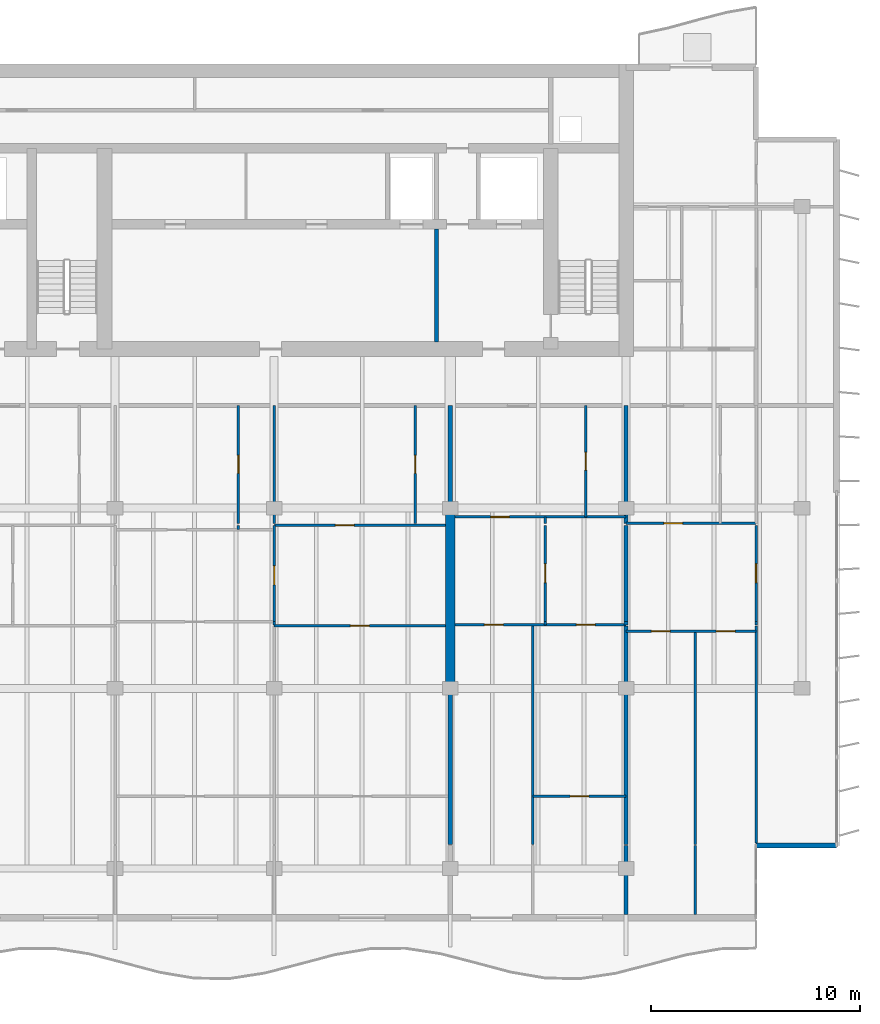
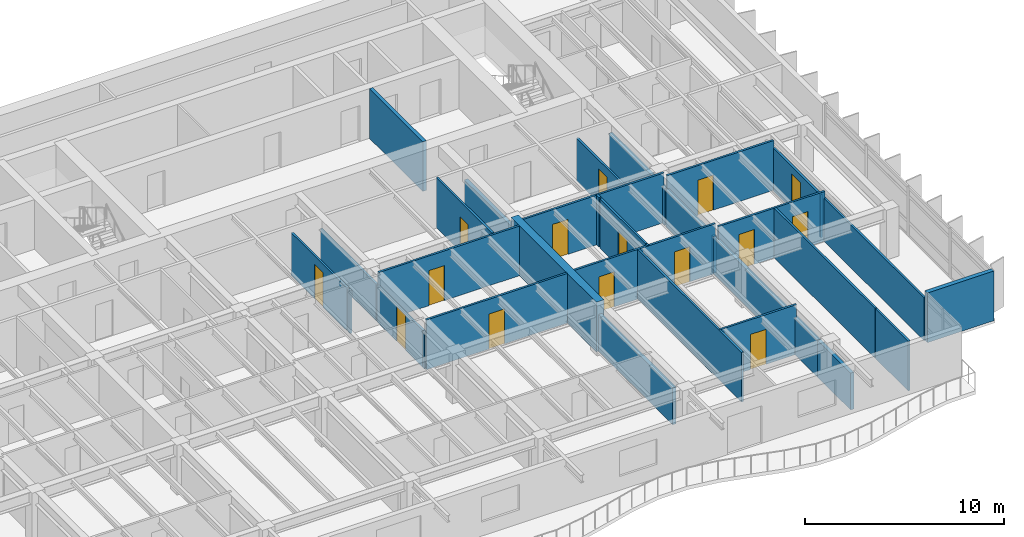
# One storey, part 10 of 17: 33 walls, 15 doors, 15 openings.
"""IFC4 building model written with IfcOpenShell, lengths in metres."""

from ifc_helpers import new_model, si_unit, direction, frame, frame_2d, origin, place, context, subcontext, project, spatial, rectangle, extrude, material, layer, layer_set, type_object, element, fill, save


model = new_model("IFC4")

# Units and contexts
model_context = context("Model", 3, precision=1e-05, world=origin(), true_north=direction((0.0, 1.0)))
body_context = subcontext(model_context, "Body", "Model", "MODEL_VIEW")
ifc_project = project(units=[si_unit("LENGTHUNIT", "METRE"), si_unit("AREAUNIT", "SQUARE_METRE"), si_unit("VOLUMEUNIT", "CUBIC_METRE"), si_unit("PLANEANGLEUNIT", "RADIAN"), si_unit("MASSUNIT", "GRAM", prefix="KILO")], contexts=[model_context])

# Site, building, storey
site_placement = place(None, origin())
site = spatial("IfcSite", under=ifc_project, at=site_placement, CompositionType="ELEMENT")
building_placement = place(site_placement, origin())
building = spatial("IfcBuilding", under=site, at=building_placement, Name="Caelmar Bay Residences", CompositionType="ELEMENT")
storey_placement = place(building_placement, frame((0.0, 0.0, 259.5)))
storey = spatial("IfcBuildingStorey", under=building, at=storey_placement, Name="L73", CompositionType="ELEMENT", Elevation=259.5)

# Walls
ifc_material_1 = material(Name="Concrete f'c 55 MPa (8,000 psi)", Category="concrete")
ifc_layer_1 = layer(ifc_material_1, 0.449951171875)
ifc_layer_set_1 = layer_set([ifc_layer_1], Name="Concrete f'c 55 MPa (8,000 psi)")
wall_type_1 = type_object("IfcWallType", Name="SW-XSLB-450", PredefinedType="SHEAR", material=ifc_layer_set_1)
wall_1_placement = place(storey_placement, frame((51.10009765625, 20.800048828125, 0.0), z_axis=(0.0, 0.0, 1.0), x_axis=(0.0, 1.0, 0.0)))
element("IfcWall", 1, at=wall_1_placement, inside=storey, type_object=wall_type_1, Name="L73 Transverse Cross-Slab Shear Wall E8", PredefinedType="SHEAR", context=body_context, shape_type="SweptSolid", body=[
    extrude(rectangle(XDim=8.599853515625, YDim=0.449951171875, at=frame_2d((4.2998046875, 0.0))), origin(), (0.0, 0.0, 1.0), 3.050048828125),
])
ifc_material_2 = material(Name="Precast concrete f'c 40 MPa (6,000 psi)", Category="concrete")
ifc_layer_2 = layer(ifc_material_2, 0.25)
ifc_layer_set_2 = layer_set([ifc_layer_2], Name="Precast concrete f'c 40 MPa (6,000 psi)")
wall_type_2 = type_object("IfcWallType", Name="W-EXT-250", PredefinedType="ELEMENTEDWALL", material=ifc_layer_set_2)
wall_2_placement = place(storey_placement, frame((65.699951171875, 13.300048828125, 0.0), z_axis=(0.0, 0.0, 1.0), x_axis=(1.0, 0.0, 0.0)))
element("IfcWall", 2, at=wall_2_placement, inside=storey, type_object=wall_type_2, Name="L73 SE Notch Return Wall", PredefinedType="ELEMENTEDWALL", context=body_context, shape_type="SweptSolid", body=[
    extrude(rectangle(XDim=3.85009765625, YDim=0.25, at=frame_2d((1.925048828125, 0.0))), origin(), (0.0, 0.0, 1.0), 3.050048828125),
])
ifc_material_3 = material(Name="Fire-rated masonry and gypsum shaftliner assembly 200 mm", Category="masonry")
ifc_layer_3 = layer(ifc_material_3, 0.199951171875)
ifc_layer_set_3 = layer_set([ifc_layer_3], Name="Fire-rated masonry and gypsum shaftliner assembly 200 mm")
wall_type_3 = type_object("IfcWallType", Name="W-FSAE-200", PredefinedType="PARTITIONING", material=ifc_layer_set_3)
wall_3_placement = place(storey_placement, frame((50.449951171875, 37.344970703125, 0.0), z_axis=(0.0, 0.0, 1.0), x_axis=(0.0, 1.0, 0.0)))
element("IfcWall", 3, at=wall_3_placement, inside=storey, type_object=wall_type_3, Name="L73 Partition Wall V041", PredefinedType="PARTITIONING", context=body_context, shape_type="SweptSolid", body=[
    extrude(rectangle(XDim=5.385009765625, YDim=0.199951171875, at=frame_2d((2.6923828125, 0.0))), origin(), (0.0, 0.0, 1.0), 3.050048828125),
])
ifc_material_4 = material(Name="Acoustic metal-stud gypsum partition 120 mm")
ifc_layer_4 = layer(ifc_material_4, 0.1201171875)
ifc_layer_set_4 = layer_set([ifc_layer_4], Name="Acoustic metal-stud gypsum partition 120 mm")
wall_type_4 = type_object("IfcWallType", Name="W-PRT-120", PredefinedType="PARTITIONING", material=ifc_layer_set_4)
wall_4_placement = place(storey_placement, frame((40.993896484375, 28.3798828125, 0.0), z_axis=(0.0, 0.0, 1.0), x_axis=(0.0, 1.0, 0.0)))
element("IfcWall", 4, at=wall_4_placement, inside=storey, type_object=wall_type_4, Name="L73 Partition Wall V031", PredefinedType="PARTITIONING", context=body_context, shape_type="SweptSolid", body=[
    extrude(rectangle(XDim=0.2001953125, YDim=0.1201171875, at=frame_2d((0.10009765625, 0.0))), origin(), (0.0, 0.0, 1.0), 2.62890625),
])

# Wall, opening, door
wall_5_placement = place(storey_placement, frame((40.993896484375, 28.679931640625, 0.0), z_axis=(0.0, 0.0, 1.0), x_axis=(0.0, 1.0, 0.0)))
wall_5 = element("IfcWall", 5, at=wall_5_placement, inside=storey, type_object=wall_type_4, Name="L73 Partition Wall V032", PredefinedType="PARTITIONING", context=body_context, shape_type="SweptSolid", body=[
    extrude(rectangle(XDim=5.6201171875, YDim=0.1201171875, at=frame_2d((2.81005859375, 0.0))), origin(), (0.0, 0.0, 1.0), 2.62890625),
])
opening_1_placement = place(wall_5_placement, frame((2.385009765625, 0.0, 0.0)))
opening_1 = element("IfcOpeningElement", 6, at=opening_1_placement, cuts=wall_5, Name="Opening D-L73-136", PredefinedType="OPENING", context=body_context, shape_type="SweptSolid", body=[
    extrude(rectangle(XDim=0.85009765625, YDim=2.10009765625, at=frame_2d((0.425048828125, 1.050048828125))), frame((0.0, 0.070068359375, 0.0), z_axis=(0.0, -1.0, 0.0), x_axis=(1.0, 0.0, 0.0)), (0.0, 0.0, 1.0), 0.14013671875),
])
ifc_material_5 = material(Name="Solid walnut timber interior door leaf and frame", Category="wood")
ifc_layer_5 = layer(ifc_material_5, 0.050048828125)
ifc_layer_set_5 = layer_set([ifc_layer_5], Name="Solid walnut timber interior door leaf and frame")
door_type_1 = type_object("IfcDoorType", Name="D-BATH-850", OperationType="NOTDEFINED", PredefinedType="DOOR", material=ifc_layer_set_5)
door_1_placement = place(opening_1_placement, origin())
door_1 = element("IfcDoor", 7, at=door_1_placement, inside=storey, type_object=door_type_1, Name="L73 Residence 02 En-Suite Bathroom 1 Door", OperationType="SINGLE_SWING_LEFT", OverallHeight=2.10009765625, OverallWidth=0.85009765625, PredefinedType="DOOR", context=body_context, shape_type="SweptSolid", body=[
    extrude(rectangle(XDim=0.85009765625, YDim=2.10009765625, at=frame_2d((0.425048828125, 1.050048828125))), frame((0.0, 0.02490234375, 0.0), z_axis=(0.0, -1.0, 0.0), x_axis=(1.0, 0.0, 0.0)), (0.0, 0.0, 1.0), 0.050048828125),
])
fill(opening_1, door_1)

# Wall
wall_6_placement = place(storey_placement, frame((42.699951171875, 23.830078125, 0.0), z_axis=(0.0, 0.0, 1.0), x_axis=(0.0, 1.0, 0.0)))
element("IfcWall", 8, at=wall_6_placement, inside=storey, type_object=wall_type_4, Name="L73 Partition Wall V036", PredefinedType="PARTITIONING", context=body_context, shape_type="SweptSolid", body=[
    extrude(rectangle(XDim=0.14990234375, YDim=0.1201171875, at=frame_2d((0.074951171875, 0.0))), origin(), (0.0, 0.0, 1.0), 2.262939453125),
])

# Wall, opening, door
wall_7_placement = place(storey_placement, frame((42.699951171875, 24.0, 0.0), z_axis=(0.0, 0.0, 1.0), x_axis=(0.0, 1.0, 0.0)))
wall_7 = element("IfcWall", 9, at=wall_7_placement, inside=storey, type_object=wall_type_4, Name="L73 Partition Wall V037", PredefinedType="PARTITIONING", context=body_context, shape_type="SweptSolid", body=[
    extrude(rectangle(XDim=4.580078125, YDim=0.1201171875, at=frame_2d((2.2900390625, 0.0))), origin(), (0.0, 0.0, 1.0), 2.262939453125),
])
opening_2_placement = place(wall_7_placement, frame((1.739990234375, 0.0, 0.0)))
opening_2 = element("IfcOpeningElement", 10, at=opening_2_placement, cuts=wall_7, Name="Opening D-L73-139", PredefinedType="OPENING", context=body_context, shape_type="SweptSolid", body=[
    extrude(rectangle(XDim=0.89990234375, YDim=2.14990234375, at=frame_2d((0.449951171875, 1.074951171875))), frame((0.0, 0.070068359375, 0.0), z_axis=(0.0, -1.0, 0.0), x_axis=(1.0, 0.0, 0.0)), (0.0, 0.0, 1.0), 0.14013671875),
])
ifc_layer_6 = layer(ifc_material_5, 0.050048828125)
ifc_layer_set_6 = layer_set([ifc_layer_6], Name="Solid walnut timber interior door leaf and frame")
door_type_2 = type_object("IfcDoorType", Name="D-ROOM-900", OperationType="NOTDEFINED", PredefinedType="DOOR", material=ifc_layer_set_6)
door_2_placement = place(opening_2_placement, origin())
door_2 = element("IfcDoor", 11, at=door_2_placement, inside=storey, type_object=door_type_2, Name="L73 Residence 02 Family Room 2 Door", OperationType="SINGLE_SWING_RIGHT", OverallHeight=2.14990234375, OverallWidth=0.89990234375, PredefinedType="DOOR", context=body_context, shape_type="SweptSolid", body=[
    extrude(rectangle(XDim=0.89990234375, YDim=2.14990234375, at=frame_2d((0.449951171875, 1.074951171875))), frame((0.0, 0.02490234375, 0.0), z_axis=(0.0, -1.0, 0.0), x_axis=(1.0, 0.0, 0.0)), (0.0, 0.0, 1.0), 0.050048828125),
])
fill(opening_2, door_2)

# Wall
wall_8_placement = place(storey_placement, frame((42.699951171875, 28.679931640625, 0.0), z_axis=(0.0, 0.0, 1.0), x_axis=(0.0, 1.0, 0.0)))
element("IfcWall", 12, at=wall_8_placement, inside=storey, type_object=wall_type_4, Name="L73 Partition Wall V038", PredefinedType="PARTITIONING", context=body_context, shape_type="SweptSolid", body=[
    extrude(rectangle(XDim=5.6201171875, YDim=0.1201171875, at=frame_2d((2.81005859375, 0.0))), origin(), (0.0, 0.0, 1.0), 2.262939453125),
])

# Wall, opening, door
wall_9_placement = place(storey_placement, frame((49.422119140625, 28.679931640625, 0.0), z_axis=(0.0, 0.0, 1.0), x_axis=(0.0, 1.0, 0.0)))
wall_9 = element("IfcWall", 13, at=wall_9_placement, inside=storey, type_object=wall_type_4, Name="L73 Partition Wall V040", PredefinedType="PARTITIONING", context=body_context, shape_type="SweptSolid", body=[
    extrude(rectangle(XDim=5.6201171875, YDim=0.1201171875, at=frame_2d((2.81005859375, 0.0))), origin(), (0.0, 0.0, 1.0), 3.050048828125),
])
opening_3_placement = place(wall_9_placement, frame((2.385009765625, 0.0, 0.0)))
opening_3 = element("IfcOpeningElement", 14, at=opening_3_placement, cuts=wall_9, Name="Opening D-L73-141", PredefinedType="OPENING", context=body_context, shape_type="SweptSolid", body=[
    extrude(rectangle(XDim=0.85009765625, YDim=2.10009765625, at=frame_2d((0.425048828125, 1.050048828125))), frame((0.0, 0.070068359375, 0.0), z_axis=(0.0, -1.0, 0.0), x_axis=(1.0, 0.0, 0.0)), (0.0, 0.0, 1.0), 0.14013671875),
])
door_3_placement = place(opening_3_placement, origin())
door_3 = element("IfcDoor", 15, at=door_3_placement, inside=storey, type_object=door_type_1, Name="L73 Residence 02 En-Suite Bathroom 2 Door", OperationType="SINGLE_SWING_RIGHT", OverallHeight=2.10009765625, OverallWidth=0.85009765625, PredefinedType="DOOR", context=body_context, shape_type="SweptSolid", body=[
    extrude(rectangle(XDim=0.85009765625, YDim=2.10009765625, at=frame_2d((0.425048828125, 1.050048828125))), frame((0.0, 0.02490234375, 0.0), z_axis=(0.0, -1.0, 0.0), x_axis=(1.0, 0.0, 0.0)), (0.0, 0.0, 1.0), 0.050048828125),
])
fill(opening_3, door_3)

# Walls
wall_10_placement = place(storey_placement, frame((55.048095703125, 13.340087890625, 0.0), z_axis=(0.0, 0.0, 1.0), x_axis=(0.0, 1.0, 0.0)))
element("IfcWall", 16, at=wall_10_placement, inside=storey, type_object=wall_type_4, Name="L73 Partition Wall V048", PredefinedType="PARTITIONING", context=body_context, shape_type="SweptSolid", body=[
    extrude(rectangle(XDim=10.43994140625, YDim=0.1201171875, at=frame_2d((5.219970703125, 0.0))), origin(), (0.0, 0.0, 1.0), 3.050048828125),
])
wall_11_placement = place(storey_placement, frame((55.635986328125, 23.830078125, 0.0), z_axis=(0.0, 0.0, 1.0), x_axis=(0.0, 1.0, 0.0)))
element("IfcWall", 17, at=wall_11_placement, inside=storey, type_object=wall_type_4, Name="L73 Partition Wall V049", PredefinedType="PARTITIONING", context=body_context, shape_type="SweptSolid", body=[
    extrude(rectangle(XDim=0.14990234375, YDim=0.1201171875, at=frame_2d((0.074951171875, 0.0))), origin(), (0.0, 0.0, 1.0), 3.050048828125),
])

# Wall, opening, door
wall_12_placement = place(storey_placement, frame((55.635986328125, 24.0, 0.0), z_axis=(0.0, 0.0, 1.0), x_axis=(0.0, 1.0, 0.0)))
wall_12 = element("IfcWall", 18, at=wall_12_placement, inside=storey, type_object=wall_type_4, Name="L73 Partition Wall V050", PredefinedType="PARTITIONING", context=body_context, shape_type="SweptSolid", body=[
    extrude(rectangle(XDim=4.580078125, YDim=0.1201171875, at=frame_2d((2.2900390625, 0.0))), origin(), (0.0, 0.0, 1.0), 3.050048828125),
])
opening_4_placement = place(wall_12_placement, frame((1.840087890625, 0.0, 0.0)))
opening_4 = element("IfcOpeningElement", 19, at=opening_4_placement, cuts=wall_12, Name="Opening D-L73-147", PredefinedType="OPENING", context=body_context, shape_type="SweptSolid", body=[
    extrude(rectangle(XDim=0.89990234375, YDim=2.14990234375, at=frame_2d((0.449951171875, 1.074951171875))), frame((0.0, 0.070068359375, 0.0), z_axis=(0.0, -1.0, 0.0), x_axis=(1.0, 0.0, 0.0)), (0.0, 0.0, 1.0), 0.14013671875),
])
door_4_placement = place(opening_4_placement, origin())
door_4 = element("IfcDoor", 20, at=door_4_placement, inside=storey, type_object=door_type_2, Name="L73 Residence 03 Study Door", OperationType="SINGLE_SWING_RIGHT", OverallHeight=2.14990234375, OverallWidth=0.89990234375, PredefinedType="DOOR", context=body_context, shape_type="SweptSolid", body=[
    extrude(rectangle(XDim=0.89990234375, YDim=2.14990234375, at=frame_2d((0.449951171875, 1.074951171875))), frame((0.0, 0.02490234375, 0.0), z_axis=(0.0, -1.0, 0.0), x_axis=(1.0, 0.0, 0.0)), (0.0, 0.0, 1.0), 0.050048828125),
])
fill(opening_4, door_4)

# Wall
wall_13_placement = place(storey_placement, frame((55.635986328125, 28.679931640625, 0.0), z_axis=(0.0, 0.0, 1.0), x_axis=(0.0, 1.0, 0.0)))
element("IfcWall", 21, at=wall_13_placement, inside=storey, type_object=wall_type_4, Name="L73 Partition Wall V051", PredefinedType="PARTITIONING", context=body_context, shape_type="SweptSolid", body=[
    extrude(rectangle(XDim=0.300048828125, YDim=0.1201171875, at=frame_2d((0.14990234375, 0.0))), origin(), (0.0, 0.0, 1.0), 3.050048828125),
])

# Wall, opening, door
wall_14_placement = place(storey_placement, frame((57.56396484375, 28.97998046875, 0.0), z_axis=(0.0, 0.0, 1.0), x_axis=(0.0, 1.0, 0.0)))
wall_14 = element("IfcWall", 22, at=wall_14_placement, inside=storey, type_object=wall_type_4, Name="L73 Partition Wall V053", PredefinedType="PARTITIONING", context=body_context, shape_type="SweptSolid", body=[
    extrude(rectangle(XDim=5.320068359375, YDim=0.1201171875, at=frame_2d((2.66015625, 0.0))), origin(), (0.0, 0.0, 1.0), 2.62890625),
])
opening_5_placement = place(wall_14_placement, frame((2.235107421875, 0.0, 0.0)))
opening_5 = element("IfcOpeningElement", 23, at=opening_5_placement, cuts=wall_14, Name="Opening D-L73-145", PredefinedType="OPENING", context=body_context, shape_type="SweptSolid", body=[
    extrude(rectangle(XDim=0.85009765625, YDim=2.10009765625, at=frame_2d((0.425048828125, 1.050048828125))), frame((0.0, 0.070068359375, 0.0), z_axis=(0.0, -1.0, 0.0), x_axis=(1.0, 0.0, 0.0)), (0.0, 0.0, 1.0), 0.14013671875),
])
door_5_placement = place(opening_5_placement, origin())
door_5 = element("IfcDoor", 24, at=door_5_placement, inside=storey, type_object=door_type_1, Name="L73 Residence 03 Bathroom Door", OperationType="SINGLE_SWING_RIGHT", OverallHeight=2.10009765625, OverallWidth=0.85009765625, PredefinedType="DOOR", context=body_context, shape_type="SweptSolid", body=[
    extrude(rectangle(XDim=0.85009765625, YDim=2.10009765625, at=frame_2d((0.425048828125, 1.050048828125))), frame((0.0, 0.02490234375, 0.0), z_axis=(0.0, -1.0, 0.0), x_axis=(1.0, 0.0, 0.0)), (0.0, 0.0, 1.0), 0.050048828125),
])
fill(opening_5, door_5)

# Walls
wall_15_placement = place(storey_placement, frame((62.800048828125, 9.9951171875, 0.0), z_axis=(0.0, 0.0, 1.0), x_axis=(0.0, 1.0, 0.0)))
element("IfcWall", 25, at=wall_15_placement, inside=storey, type_object=wall_type_4, Name="L73 Partition Wall V060", PredefinedType="PARTITIONING", context=body_context, shape_type="SweptSolid", body=[
    extrude(rectangle(XDim=3.304931640625, YDim=0.1201171875, at=frame_2d((1.65234375, 0.0))), origin(), (0.0, 0.0, 1.0), 3.050048828125),
])
wall_16_placement = place(storey_placement, frame((62.800048828125, 13.340087890625, 0.0), z_axis=(0.0, 0.0, 1.0), x_axis=(0.0, 1.0, 0.0)))
element("IfcWall", 26, at=wall_16_placement, inside=storey, type_object=wall_type_4, Name="L73 Partition Wall V061", PredefinedType="PARTITIONING", context=body_context, shape_type="SweptSolid", body=[
    extrude(rectangle(XDim=10.18994140625, YDim=0.1201171875, at=frame_2d((5.094970703125, 0.0))), origin(), (0.0, 0.0, 1.0), 3.050048828125),
])
wall_17_placement = place(storey_placement, frame((65.699951171875, 13.419921875, 0.0), z_axis=(0.0, 0.0, 1.0), x_axis=(0.0, 1.0, 0.0)))
element("IfcWall", 27, at=wall_17_placement, inside=storey, type_object=wall_type_4, Name="L73 Partition Wall V063", PredefinedType="PARTITIONING", context=body_context, shape_type="SweptSolid", body=[
    extrude(rectangle(XDim=10.360107421875, YDim=0.1201171875, at=frame_2d((5.18017578125, 0.0))), origin(), (0.0, 0.0, 1.0), 2.62890625),
])
wall_18_placement = place(storey_placement, frame((65.699951171875, 23.830078125, 0.0), z_axis=(0.0, 0.0, 1.0), x_axis=(0.0, 1.0, 0.0)))
element("IfcWall", 28, at=wall_18_placement, inside=storey, type_object=wall_type_4, Name="L73 Partition Wall V064", PredefinedType="PARTITIONING", context=body_context, shape_type="SweptSolid", body=[
    extrude(rectangle(XDim=0.14990234375, YDim=0.1201171875, at=frame_2d((0.074951171875, 0.0))), origin(), (0.0, 0.0, 1.0), 2.62890625),
])

# Wall, opening, door
wall_19_placement = place(storey_placement, frame((65.699951171875, 24.0, 0.0), z_axis=(0.0, 0.0, 1.0), x_axis=(0.0, 1.0, 0.0)))
wall_19 = element("IfcWall", 29, at=wall_19_placement, inside=storey, type_object=wall_type_4, Name="L73 Partition Wall V065", PredefinedType="PARTITIONING", context=body_context, shape_type="SweptSolid", body=[
    extrude(rectangle(XDim=4.580078125, YDim=0.1201171875, at=frame_2d((2.2900390625, 0.0))), origin(), (0.0, 0.0, 1.0), 2.62890625),
])
opening_6_placement = place(wall_19_placement, frame((1.840087890625, 0.0, 0.0)))
opening_6 = element("IfcOpeningElement", 30, at=opening_6_placement, cuts=wall_19, Name="Opening D-L73-157", PredefinedType="OPENING", context=body_context, shape_type="SweptSolid", body=[
    extrude(rectangle(XDim=0.89990234375, YDim=2.14990234375, at=frame_2d((0.449951171875, 1.074951171875))), frame((0.0, 0.070068359375, 0.0), z_axis=(0.0, -1.0, 0.0), x_axis=(1.0, 0.0, 0.0)), (0.0, 0.0, 1.0), 0.14013671875),
])
door_6_placement = place(opening_6_placement, origin())
door_6 = element("IfcDoor", 31, at=door_6_placement, inside=storey, type_object=door_type_2, Name="L73 Residence 04 Penthouse East Salon Door", OperationType="SINGLE_SWING_RIGHT", OverallHeight=2.14990234375, OverallWidth=0.89990234375, PredefinedType="DOOR", context=body_context, shape_type="SweptSolid", body=[
    extrude(rectangle(XDim=0.89990234375, YDim=2.14990234375, at=frame_2d((0.449951171875, 1.074951171875))), frame((0.0, 0.02490234375, 0.0), z_axis=(0.0, -1.0, 0.0), x_axis=(1.0, 0.0, 0.0)), (0.0, 0.0, 1.0), 0.050048828125),
])
fill(opening_6, door_6)

wall_20_placement = place(storey_placement, frame((55.048095703125, 15.64990234375, 0.0), z_axis=(0.0, 0.0, 1.0), x_axis=(1.0, 0.0, 0.0)))
wall_20 = element("IfcWall", 32, at=wall_20_placement, inside=storey, type_object=wall_type_4, Name="L73 Partition Wall H071", PredefinedType="PARTITIONING", context=body_context, shape_type="SweptSolid", body=[
    extrude(rectangle(XDim=4.451904296875, YDim=0.1201171875, at=frame_2d((2.22607421875, 0.0))), origin(), (0.0, 0.0, 1.0), 3.050048828125),
])
opening_7_placement = place(wall_20_placement, frame((1.77587890625, 0.0, 0.0)))
opening_7 = element("IfcOpeningElement", 33, at=opening_7_placement, cuts=wall_20, Name="Opening D-L73-150", PredefinedType="OPENING", context=body_context, shape_type="SweptSolid", body=[
    extrude(rectangle(XDim=0.89990234375, YDim=2.14990234375, at=frame_2d((0.449951171875, 1.074951171875))), frame((0.0, 0.070068359375, 0.0), z_axis=(0.0, -1.0, 0.0), x_axis=(1.0, 0.0, 0.0)), (0.0, 0.0, 1.0), 0.14013671875),
])
door_7_placement = place(opening_7_placement, origin())
door_7 = element("IfcDoor", 34, at=door_7_placement, inside=storey, type_object=door_type_2, Name="L73 Residence 03 Primary Bedroom Door", OperationType="SINGLE_SWING_LEFT", OverallHeight=2.14990234375, OverallWidth=0.89990234375, PredefinedType="DOOR", context=body_context, shape_type="SweptSolid", body=[
    extrude(rectangle(XDim=0.89990234375, YDim=2.14990234375, at=frame_2d((0.449951171875, 1.074951171875))), frame((0.0, 0.02490234375, 0.0), z_axis=(0.0, -1.0, 0.0), x_axis=(1.0, 0.0, 0.0)), (0.0, 0.0, 1.0), 0.050048828125),
])
fill(opening_7, door_7)

# Wall, openings, doors
wall_21_placement = place(storey_placement, frame((59.5, 23.530029296875, 0.0), z_axis=(0.0, 0.0, 1.0), x_axis=(1.0, 0.0, 0.0)))
wall_21 = element("IfcWall", 35, at=wall_21_placement, inside=storey, type_object=wall_type_4, Name="L73 Partition Wall H072", PredefinedType="PARTITIONING", context=body_context, shape_type="SweptSolid", body=[
    extrude(rectangle(XDim=6.199951171875, YDim=0.1201171875, at=frame_2d((3.10009765625, 0.0))), origin(), (0.0, 0.0, 1.0), 3.050048828125),
])
opening_8_placement = place(wall_21_placement, frame((1.199951171875, 0.0, 0.0)))
opening_8 = element("IfcOpeningElement", 36, at=opening_8_placement, cuts=wall_21, Name="Opening D-L73-154", PredefinedType="OPENING", context=body_context, shape_type="SweptSolid", body=[
    extrude(rectangle(XDim=0.89990234375, YDim=2.14990234375, at=frame_2d((0.449951171875, 1.074951171875))), frame((0.0, 0.070068359375, 0.0), z_axis=(0.0, -1.0, 0.0), x_axis=(1.0, 0.0, 0.0)), (0.0, 0.0, 1.0), 0.14013671875),
])
opening_9_placement = place(wall_21_placement, frame((4.300048828125, 0.0, 0.0)))
opening_9 = element("IfcOpeningElement", 37, at=opening_9_placement, cuts=wall_21, Name="Opening D-L73-155", PredefinedType="OPENING", context=body_context, shape_type="SweptSolid", body=[
    extrude(rectangle(XDim=0.89990234375, YDim=2.14990234375, at=frame_2d((0.449951171875, 1.074951171875))), frame((0.0, 0.070068359375, 0.0), z_axis=(0.0, -1.0, 0.0), x_axis=(1.0, 0.0, 0.0)), (0.0, 0.0, 1.0), 0.14013671875),
])
door_8_placement = place(opening_8_placement, origin())
door_8 = element("IfcDoor", 38, at=door_8_placement, inside=storey, type_object=door_type_2, Name="L73 Residence 04 Living Room Door", OperationType="SINGLE_SWING_LEFT", OverallHeight=2.14990234375, OverallWidth=0.89990234375, PredefinedType="DOOR", context=body_context, shape_type="SweptSolid", body=[
    extrude(rectangle(XDim=0.89990234375, YDim=2.14990234375, at=frame_2d((0.449951171875, 1.074951171875))), frame((0.0, 0.02490234375, 0.0), z_axis=(0.0, -1.0, 0.0), x_axis=(1.0, 0.0, 0.0)), (0.0, 0.0, 1.0), 0.050048828125),
])
fill(opening_8, door_8)
door_9_placement = place(opening_9_placement, origin())
door_9 = element("IfcDoor", 39, at=door_9_placement, inside=storey, type_object=door_type_2, Name="L73 Residence 04 Primary Bedroom Door", OperationType="SINGLE_SWING_RIGHT", OverallHeight=2.14990234375, OverallWidth=0.89990234375, PredefinedType="DOOR", context=body_context, shape_type="SweptSolid", body=[
    extrude(rectangle(XDim=0.89990234375, YDim=2.14990234375, at=frame_2d((0.449951171875, 1.074951171875))), frame((0.0, 0.02490234375, 0.0), z_axis=(0.0, -1.0, 0.0), x_axis=(1.0, 0.0, 0.0)), (0.0, 0.0, 1.0), 0.050048828125),
])
fill(opening_9, door_9)

# Wall, opening, door
wall_22_placement = place(storey_placement, frame((42.699951171875, 23.780029296875, 0.0), z_axis=(0.0, 0.0, 1.0), x_axis=(1.0, 0.0, 0.0)))
wall_22 = element("IfcWall", 40, at=wall_22_placement, inside=storey, type_object=wall_type_4, Name="L73 Partition Wall H074", PredefinedType="PARTITIONING", context=body_context, shape_type="SweptSolid", body=[
    extrude(rectangle(XDim=8.179931640625, YDim=0.1201171875, at=frame_2d((4.08984375, 0.0))), origin(), (0.0, 0.0, 1.0), 3.050048828125),
])
opening_10_placement = place(wall_22_placement, frame((3.639892578125, 0.0, 0.0)))
opening_10 = element("IfcOpeningElement", 41, at=opening_10_placement, cuts=wall_22, Name="Opening D-L73-142", PredefinedType="OPENING", context=body_context, shape_type="SweptSolid", body=[
    extrude(rectangle(XDim=0.89990234375, YDim=2.14990234375, at=frame_2d((0.449951171875, 1.074951171875))), frame((0.0, 0.070068359375, 0.0), z_axis=(0.0, -1.0, 0.0), x_axis=(1.0, 0.0, 0.0)), (0.0, 0.0, 1.0), 0.14013671875),
])
door_10_placement = place(opening_10_placement, origin())
door_10 = element("IfcDoor", 42, at=door_10_placement, inside=storey, type_object=door_type_2, Name="L73 Residence 02 Penthouse Sitting Salon 2 Door", OperationType="SINGLE_SWING_LEFT", OverallHeight=2.14990234375, OverallWidth=0.89990234375, PredefinedType="DOOR", context=body_context, shape_type="SweptSolid", body=[
    extrude(rectangle(XDim=0.89990234375, YDim=2.14990234375, at=frame_2d((0.449951171875, 1.074951171875))), frame((0.0, 0.02490234375, 0.0), z_axis=(0.0, -1.0, 0.0), x_axis=(1.0, 0.0, 0.0)), (0.0, 0.0, 1.0), 0.050048828125),
])
fill(opening_10, door_10)

# Wall, openings, doors
wall_23_placement = place(storey_placement, frame((51.320068359375, 23.830078125, 0.0), z_axis=(0.0, 0.0, 1.0), x_axis=(1.0, 0.0, 0.0)))
wall_23 = element("IfcWall", 43, at=wall_23_placement, inside=storey, type_object=wall_type_4, Name="L73 Partition Wall H075", PredefinedType="PARTITIONING", context=body_context, shape_type="SweptSolid", body=[
    extrude(rectangle(XDim=8.179931640625, YDim=0.1201171875, at=frame_2d((4.08984375, 0.0))), origin(), (0.0, 0.0, 1.0), 3.050048828125),
])
opening_11_placement = place(wall_23_placement, frame((1.4140625, 0.0, 0.0)))
opening_11 = element("IfcOpeningElement", 44, at=opening_11_placement, cuts=wall_23, Name="Opening D-L73-148", PredefinedType="OPENING", context=body_context, shape_type="SweptSolid", body=[
    extrude(rectangle(XDim=0.89990234375, YDim=2.14990234375, at=frame_2d((0.449951171875, 1.074951171875))), frame((0.0, 0.070068359375, 0.0), z_axis=(0.0, -1.0, 0.0), x_axis=(1.0, 0.0, 0.0)), (0.0, 0.0, 1.0), 0.14013671875),
])
opening_12_placement = place(wall_23_placement, frame((5.798095703125, 0.0, 0.0)))
opening_12 = element("IfcOpeningElement", 45, at=opening_12_placement, cuts=wall_23, Name="Opening D-L73-149", PredefinedType="OPENING", context=body_context, shape_type="SweptSolid", body=[
    extrude(rectangle(XDim=0.89990234375, YDim=2.14990234375, at=frame_2d((0.449951171875, 1.074951171875))), frame((0.0, 0.070068359375, 0.0), z_axis=(0.0, -1.0, 0.0), x_axis=(1.0, 0.0, 0.0)), (0.0, 0.0, 1.0), 0.14013671875),
])
door_11_placement = place(opening_11_placement, origin())
door_11 = element("IfcDoor", 46, at=door_11_placement, inside=storey, type_object=door_type_2, Name="L73 Residence 03 Living Room Door", OperationType="SINGLE_SWING_LEFT", OverallHeight=2.14990234375, OverallWidth=0.89990234375, PredefinedType="DOOR", context=body_context, shape_type="SweptSolid", body=[
    extrude(rectangle(XDim=0.89990234375, YDim=2.14990234375, at=frame_2d((0.449951171875, 1.074951171875))), frame((0.0, 0.02490234375, 0.0), z_axis=(0.0, -1.0, 0.0), x_axis=(1.0, 0.0, 0.0)), (0.0, 0.0, 1.0), 0.050048828125),
])
fill(opening_11, door_11)
door_12_placement = place(opening_12_placement, origin())
door_12 = element("IfcDoor", 47, at=door_12_placement, inside=storey, type_object=door_type_2, Name="L73 Residence 03 Bedroom 2 Door", OperationType="SINGLE_SWING_RIGHT", OverallHeight=2.14990234375, OverallWidth=0.89990234375, PredefinedType="DOOR", context=body_context, shape_type="SweptSolid", body=[
    extrude(rectangle(XDim=0.89990234375, YDim=2.14990234375, at=frame_2d((0.449951171875, 1.074951171875))), frame((0.0, 0.02490234375, 0.0), z_axis=(0.0, -1.0, 0.0), x_axis=(1.0, 0.0, 0.0)), (0.0, 0.0, 1.0), 0.050048828125),
])
fill(opening_12, door_12)

# Wall, opening, door
wall_24_placement = place(storey_placement, frame((42.705078125, 28.580078125, 0.0), z_axis=(0.0, 0.0, 1.0), x_axis=(1.0, 0.0, 0.0)))
wall_24 = element("IfcWall", 48, at=wall_24_placement, inside=storey, type_object=wall_type_4, Name="L73 Partition Wall H081", PredefinedType="PARTITIONING", context=body_context, shape_type="SweptSolid", body=[
    extrude(rectangle(XDim=8.1748046875, YDim=0.1201171875, at=frame_2d((4.08740234375, 0.0))), origin(), (0.0, 0.0, 1.0), 3.050048828125),
])
opening_13_placement = place(wall_24_placement, frame((2.908447265625, 0.0, 0.0)))
opening_13 = element("IfcOpeningElement", 49, at=opening_13_placement, cuts=wall_24, Name="Opening D-L73-140", PredefinedType="OPENING", context=body_context, shape_type="SweptSolid", body=[
    extrude(rectangle(XDim=0.89990234375, YDim=2.14990234375, at=frame_2d((0.449951171875, 1.074951171875))), frame((0.0, 0.070068359375, 0.0), z_axis=(0.0, -1.0, 0.0), x_axis=(1.0, 0.0, 0.0)), (0.0, 0.0, 1.0), 0.14013671875),
])
door_13_placement = place(opening_13_placement, origin())
door_13 = element("IfcDoor", 50, at=door_13_placement, inside=storey, type_object=door_type_2, Name="L73 Residence 02 Sitting Room 2 Door", OperationType="SINGLE_SWING_LEFT", OverallHeight=2.14990234375, OverallWidth=0.89990234375, PredefinedType="DOOR", context=body_context, shape_type="SweptSolid", body=[
    extrude(rectangle(XDim=0.89990234375, YDim=2.14990234375, at=frame_2d((0.449951171875, 1.074951171875))), frame((0.0, 0.02490234375, 0.0), z_axis=(0.0, -1.0, 0.0), x_axis=(1.0, 0.0, 0.0)), (0.0, 0.0, 1.0), 0.050048828125),
])
fill(opening_13, door_13)

wall_25_placement = place(storey_placement, frame((59.5, 28.679931640625, 0.0), z_axis=(0.0, 0.0, 1.0), x_axis=(1.0, 0.0, 0.0)))
wall_25 = element("IfcWall", 51, at=wall_25_placement, inside=storey, type_object=wall_type_4, Name="L73 Partition Wall H083", PredefinedType="PARTITIONING", context=body_context, shape_type="SweptSolid", body=[
    extrude(rectangle(XDim=6.199951171875, YDim=0.1201171875, at=frame_2d((3.10009765625, 0.0))), origin(), (0.0, 0.0, 1.0), 3.050048828125),
])
opening_14_placement = place(wall_25_placement, frame((1.7958984375, 0.0, 0.0)))
opening_14 = element("IfcOpeningElement", 52, at=opening_14_placement, cuts=wall_25, Name="Opening D-L73-153", PredefinedType="OPENING", context=body_context, shape_type="SweptSolid", body=[
    extrude(rectangle(XDim=0.89990234375, YDim=2.14990234375, at=frame_2d((0.449951171875, 1.074951171875))), frame((0.0, 0.070068359375, 0.0), z_axis=(0.0, -1.0, 0.0), x_axis=(1.0, 0.0, 0.0)), (0.0, 0.0, 1.0), 0.14013671875),
])
door_14_placement = place(opening_14_placement, origin())
door_14 = element("IfcDoor", 53, at=door_14_placement, inside=storey, type_object=door_type_2, Name="L73 Residence 04 Kitchen Door", OperationType="SINGLE_SWING_RIGHT", OverallHeight=2.14990234375, OverallWidth=0.89990234375, PredefinedType="DOOR", context=body_context, shape_type="SweptSolid", body=[
    extrude(rectangle(XDim=0.89990234375, YDim=2.14990234375, at=frame_2d((0.449951171875, 1.074951171875))), frame((0.0, 0.02490234375, 0.0), z_axis=(0.0, -1.0, 0.0), x_axis=(1.0, 0.0, 0.0)), (0.0, 0.0, 1.0), 0.050048828125),
])
fill(opening_14, door_14)

wall_26_placement = place(storey_placement, frame((51.320068359375, 28.97998046875, 0.0), z_axis=(0.0, 0.0, 1.0), x_axis=(1.0, 0.0, 0.0)))
wall_26 = element("IfcWall", 54, at=wall_26_placement, inside=storey, type_object=wall_type_4, Name="L73 Partition Wall H085", PredefinedType="PARTITIONING", context=body_context, shape_type="SweptSolid", body=[
    extrude(rectangle(XDim=8.179931640625, YDim=0.1201171875, at=frame_2d((4.08984375, 0.0))), origin(), (0.0, 0.0, 1.0), 3.050048828125),
])
opening_15_placement = place(wall_26_placement, frame((1.7080078125, 0.0, 0.0)))
opening_15 = element("IfcOpeningElement", 55, at=opening_15_placement, cuts=wall_26, Name="Opening D-L73-146", PredefinedType="OPENING", context=body_context, shape_type="SweptSolid", body=[
    extrude(rectangle(XDim=0.89990234375, YDim=2.14990234375, at=frame_2d((0.449951171875, 1.074951171875))), frame((0.0, 0.070068359375, 0.0), z_axis=(0.0, -1.0, 0.0), x_axis=(1.0, 0.0, 0.0)), (0.0, 0.0, 1.0), 0.14013671875),
])
door_15_placement = place(opening_15_placement, origin())
door_15 = element("IfcDoor", 56, at=door_15_placement, inside=storey, type_object=door_type_2, Name="L73 Residence 03 Kitchen Door", OperationType="SINGLE_SWING_LEFT", OverallHeight=2.14990234375, OverallWidth=0.89990234375, PredefinedType="DOOR", context=body_context, shape_type="SweptSolid", body=[
    extrude(rectangle(XDim=0.89990234375, YDim=2.14990234375, at=frame_2d((0.449951171875, 1.074951171875))), frame((0.0, 0.02490234375, 0.0), z_axis=(0.0, -1.0, 0.0), x_axis=(1.0, 0.0, 0.0)), (0.0, 0.0, 1.0), 0.050048828125),
])
fill(opening_15, door_15)

# Walls
ifc_material_6 = material(Name="Acoustic twin-stud fire-rated inter-tenancy partition 200 mm")
ifc_layer_7 = layer(ifc_material_6, 0.199951171875)
ifc_layer_set_7 = layer_set([ifc_layer_7], Name="Acoustic twin-stud fire-rated inter-tenancy partition 200 mm")
wall_type_5 = type_object("IfcWallType", Name="W-PTY-200", PredefinedType="PARTITIONING", material=ifc_layer_set_7)
wall_27_placement = place(storey_placement, frame((51.10009765625, 13.340087890625, 0.0), z_axis=(0.0, 0.0, 1.0), x_axis=(0.0, 1.0, 0.0)))
element("IfcWall", 57, at=wall_27_placement, inside=storey, type_object=wall_type_5, Name="L73 Partition Wall V044", PredefinedType="PARTITIONING", context=body_context, shape_type="SweptSolid", body=[
    extrude(rectangle(XDim=7.454833984375, YDim=0.199951171875, at=frame_2d((3.7275390625, 0.0))), origin(), (0.0, 0.0, 1.0), 2.262939453125),
])
wall_28_placement = place(storey_placement, frame((51.10009765625, 29.405029296875, 0.0), z_axis=(0.0, 0.0, 1.0), x_axis=(0.0, 1.0, 0.0)))
element("IfcWall", 58, at=wall_28_placement, inside=storey, type_object=wall_type_5, Name="L73 Partition Wall V045", PredefinedType="PARTITIONING", context=body_context, shape_type="SweptSolid", body=[
    extrude(rectangle(XDim=4.89501953125, YDim=0.199951171875, at=frame_2d((2.447509765625, 0.0))), origin(), (0.0, 0.0, 1.0), 2.3349609375),
])
wall_29_placement = place(storey_placement, frame((59.5, 9.9951171875, 0.0), z_axis=(0.0, 0.0, 1.0), x_axis=(0.0, 1.0, 0.0)))
element("IfcWall", 59, at=wall_29_placement, inside=storey, type_object=wall_type_5, Name="L73 Partition Wall V054", PredefinedType="PARTITIONING", context=body_context, shape_type="SweptSolid", body=[
    extrude(rectangle(XDim=3.304931640625, YDim=0.199951171875, at=frame_2d((1.65234375, 0.0))), origin(), (0.0, 0.0, 1.0), 2.262939453125),
])
wall_30_placement = place(storey_placement, frame((59.5, 13.340087890625, 0.0), z_axis=(0.0, 0.0, 1.0), x_axis=(0.0, 1.0, 0.0)))
element("IfcWall", 60, at=wall_30_placement, inside=storey, type_object=wall_type_5, Name="L73 Partition Wall V055", PredefinedType="PARTITIONING", context=body_context, shape_type="SweptSolid", body=[
    extrude(rectangle(XDim=10.43994140625, YDim=0.199951171875, at=frame_2d((5.219970703125, 0.0))), origin(), (0.0, 0.0, 1.0), 2.262939453125),
])
wall_31_placement = place(storey_placement, frame((59.5, 23.830078125, 0.0), z_axis=(0.0, 0.0, 1.0), x_axis=(0.0, 1.0, 0.0)))
element("IfcWall", 61, at=wall_31_placement, inside=storey, type_object=wall_type_5, Name="L73 Partition Wall V056", PredefinedType="PARTITIONING", context=body_context, shape_type="SweptSolid", body=[
    extrude(rectangle(XDim=0.14990234375, YDim=0.199951171875, at=frame_2d((0.074951171875, 0.0))), origin(), (0.0, 0.0, 1.0), 2.262939453125),
])
wall_32_placement = place(storey_placement, frame((59.5, 24.0, 0.0), z_axis=(0.0, 0.0, 1.0), x_axis=(0.0, 1.0, 0.0)))
element("IfcWall", 62, at=wall_32_placement, inside=storey, type_object=wall_type_5, Name="L73 Partition Wall V057", PredefinedType="PARTITIONING", context=body_context, shape_type="SweptSolid", body=[
    extrude(rectangle(XDim=4.580078125, YDim=0.199951171875, at=frame_2d((2.2900390625, 0.0))), origin(), (0.0, 0.0, 1.0), 2.262939453125),
])
wall_33_placement = place(storey_placement, frame((59.5, 28.679931640625, 0.0), z_axis=(0.0, 0.0, 1.0), x_axis=(0.0, 1.0, 0.0)))
element("IfcWall", 63, at=wall_33_placement, inside=storey, type_object=wall_type_5, Name="L73 Partition Wall V058", PredefinedType="PARTITIONING", context=body_context, shape_type="SweptSolid", body=[
    extrude(rectangle(XDim=5.6201171875, YDim=0.199951171875, at=frame_2d((2.81005859375, 0.0))), origin(), (0.0, 0.0, 1.0), 2.262939453125),
])

save(model, "model.ifc")
